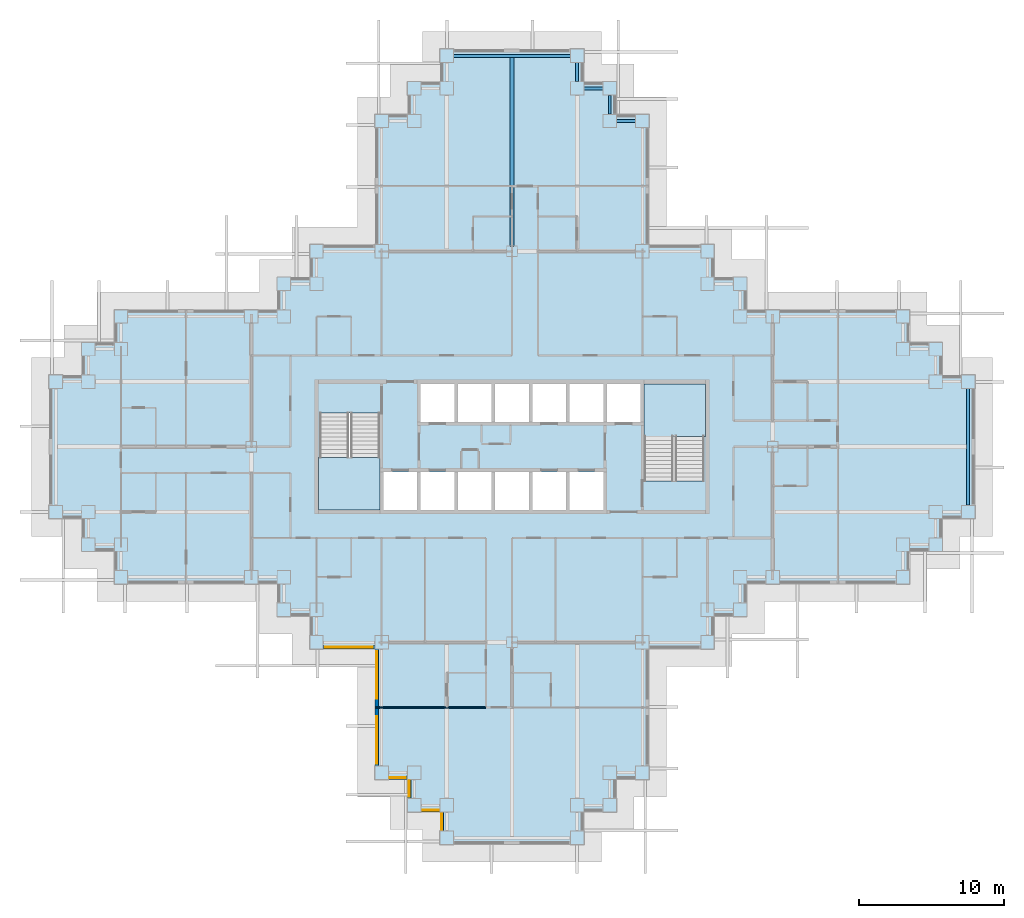
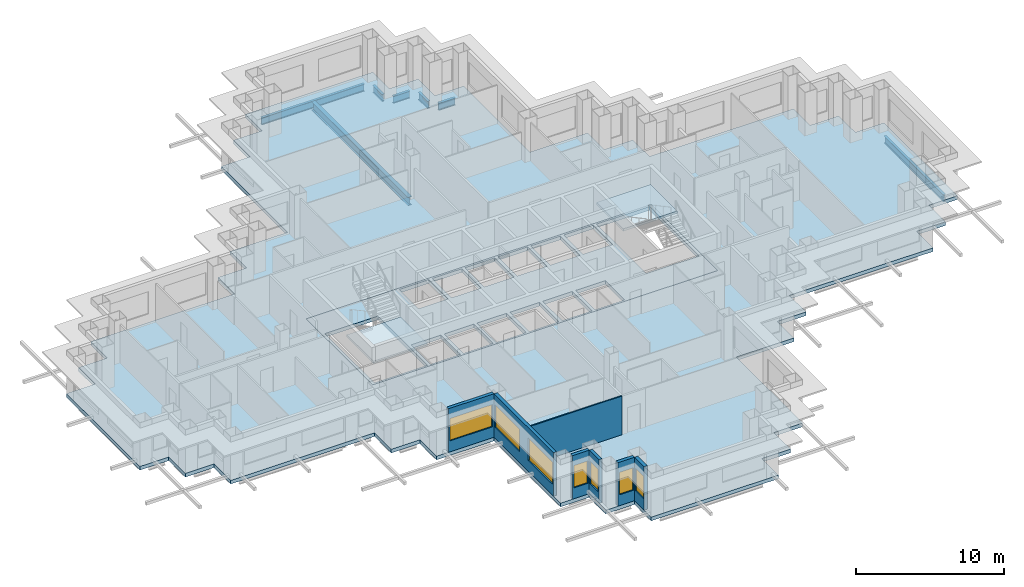
# One storey, part 2 of 15: 7 beams, 7 walls, 7 windows, 4 slabs, 7 openings, 2 elements without a shape of their own.
"""IFC4 building model written with IfcOpenShell, lengths in metres."""

from ifc_helpers import new_model, si_unit, direction, frame, frame_2d, origin, origin_2d, place, context, subcontext, project, spatial, polyline, rectangle, i_section, outline, extrude, material, layer, layer_set, material_profile, profile_set, type_object, element, fill, aggregate, save


model = new_model("IFC4")

# Units and contexts
model_context = context("Model", 3, precision=1e-05, world=origin(), true_north=direction((0.0, 1.0)))
body_context = subcontext(model_context, "Body", "Model", "MODEL_VIEW")
ifc_project = project(units=[si_unit("LENGTHUNIT", "METRE"), si_unit("AREAUNIT", "SQUARE_METRE"), si_unit("VOLUMEUNIT", "CUBIC_METRE"), si_unit("PLANEANGLEUNIT", "RADIAN"), si_unit("MASSUNIT", "GRAM", prefix="KILO")], contexts=[model_context])

# Site, building, storey
site_placement = place(None, origin())
site = spatial("IfcSite", under=ifc_project, at=site_placement, CompositionType="ELEMENT")
building_placement = place(site_placement, origin())
building = spatial("IfcBuilding", under=site, at=building_placement, Name="Caravel Reach Hotel and Residences", CompositionType="ELEMENT")
storey_placement = place(building_placement, frame((0.0, 0.0, 92.39990234375)))
storey = spatial("IfcBuildingStorey", under=building, at=storey_placement, Name="L22", CompositionType="ELEMENT", Elevation=92.39990234375)

# Beams
ifc_material_1 = material(Name="Structural steel Q355B", Category="steel")
ifc_material_profile_1 = material_profile(ifc_material_1, i_section(OverallWidth=0.300048828125, OverallDepth=0.699951171875, WebThickness=0.012939453125, FlangeThickness=0.02392578125, FilletRadius=0.01806640625, at=origin_2d()), Name="HN 700x300x13x24")
ifc_profile_set_1 = profile_set([ifc_material_profile_1], Name="Structural steel Q355B")
beam_type_1 = type_object("IfcBeamType", Name="Beam HN 700x300x13x24", PredefinedType="BEAM", material=ifc_profile_set_1)
beam_1_placement = place(storey_placement, frame((31.5, 40.824951171875, -0.64990234375), z_axis=(0.0, 1.0, 0.0), x_axis=(-1.0, 0.0, 0.0)))
element("IfcBeam", 1, at=beam_1_placement, inside=storey, type_object=beam_type_1, Name="B2 HN 700x300x13x24", PredefinedType="BEAM", context=body_context, shape_type="SweptSolid", body=[
    extrude(i_section(OverallWidth=0.300048828125, OverallDepth=0.699951171875, WebThickness=0.012939453125, FlangeThickness=0.02392578125, FilletRadius=0.01806640625, at=origin_2d()), origin(), (0.0, 0.0, 1.0), 13.074951171875),
])
ifc_material_2 = material(Name="Structural steel Q355B", Category="steel")
ifc_material_profile_2 = material_profile(ifc_material_2, i_section(OverallWidth=0.199951171875, OverallDepth=0.60009765625, WebThickness=0.010986328125, FlangeThickness=0.01708984375, FilletRadius=0.012939453125, at=origin_2d()), Name="HN 600x200x11x17")
ifc_profile_set_2 = profile_set([ifc_material_profile_2], Name="Structural steel Q355B")
beam_type_2 = type_object("IfcBeamType", Name="Spandrel beam HN 600x200x11x17", PredefinedType="SPANDREL", material=ifc_profile_set_2)
beam_2_placement = place(storey_placement, frame((63.0, 22.97509765625, -0.599853515625), z_axis=(0.0, 1.0, 0.0), x_axis=(-1.0, 0.0, 0.0)))
element("IfcBeam", 2, at=beam_2_placement, inside=storey, type_object=beam_type_2, Name="SP1 HN 600x200x11x17", PredefinedType="SPANDREL", context=body_context, shape_type="SweptSolid", body=[
    extrude(i_section(OverallWidth=0.199951171875, OverallDepth=0.60009765625, WebThickness=0.010986328125, FlangeThickness=0.01708984375, FilletRadius=0.012939453125, at=origin_2d()), origin(), (0.0, 0.0, 1.0), 8.0498046875),
])
for number, where, z_axis, x_axis, name in (
    (3, (40.02490234375, 49.5, -0.599853515625), (-1.0, 0.0, 0.0), (0.0, -1.0, 0.0), "SP1 HN 600x200x11x17"),
    (4, (38.25, 49.97509765625, -0.599853515625), (0.0, 1.0, 0.0), (-1.0, 0.0, 0.0), "SP1 HN 600x200x11x17"),
    (5, (37.77490234375, 51.75, -0.599853515625), (-1.0, 0.0, 0.0), (0.0, -1.0, 0.0), "SP1 HN 600x200x11x17"),
    (6, (36.0, 52.22509765625, -0.599853515625), (0.0, 1.0, 0.0), (-1.0, 0.0, 0.0), "SP1 HN 600x200x11x17"),
):
    element("IfcBeam", number, at=place(storey_placement, frame(where, z_axis=z_axis, x_axis=x_axis)), inside=storey, type_object=beam_type_2, Name=name, PredefinedType="SPANDREL", context=body_context, shape_type="SweptSolid", body=[
        extrude(i_section(OverallWidth=0.199951171875, OverallDepth=0.60009765625, WebThickness=0.010986328125, FlangeThickness=0.01708984375, FilletRadius=0.012939453125, at=origin_2d()), origin(), (0.0, 0.0, 1.0), 1.2998046875),
    ])
beam_3_placement = place(storey_placement, frame((35.52490234375, 54.0, -0.599853515625), z_axis=(-1.0, 0.0, 0.0), x_axis=(0.0, -1.0, 0.0)))
element("IfcBeam", 7, at=beam_3_placement, inside=storey, type_object=beam_type_2, Name="SP1 HN 600x200x11x17", PredefinedType="SPANDREL", context=body_context, shape_type="SweptSolid", body=[
    extrude(i_section(OverallWidth=0.199951171875, OverallDepth=0.60009765625, WebThickness=0.010986328125, FlangeThickness=0.01708984375, FilletRadius=0.012939453125, at=origin_2d()), origin(), (0.0, 0.0, 1.0), 8.0498046875),
])

# Slab
ifc_material_3 = material(Name="Concrete C40", Category="concrete")
ifc_layer_1 = layer(ifc_material_3, 0.300048828125)
ifc_layer_set_1 = layer_set([ifc_layer_1], Name="Core floor slab 300 mm")
slab_type_1 = type_object("IfcSlabType", Name="Core floor slab 300 mm", PredefinedType="FLOOR", material=ifc_layer_set_1)
slab_1_placement = place(storey_placement, frame((0.0, 0.0, -0.2998046875)))
element("IfcSlab", 8, at=slab_1_placement, inside=storey, type_object=slab_type_1, Name="L22 core floor", PredefinedType="FLOOR", context=body_context, shape_type="SweptSolid", body=[
    extrude(outline(polyline([(18.0, 31.5), (45.0, 31.5), (45.0, 22.5), (18.0, 22.5), (18.0, 31.5)]), holes=[polyline([(22.625, 25.27490234375), (22.625, 22.64990234375), (24.9462890625, 22.64990234375), (24.9462890625, 25.27490234375), (22.625, 25.27490234375)]), polyline([(27.517822265625, 25.27490234375), (25.1962890625, 25.27490234375), (25.1962890625, 22.64990234375), (27.517822265625, 22.64990234375), (27.517822265625, 25.27490234375)]), polyline([(30.08935546875, 25.27490234375), (27.767822265625, 25.27490234375), (27.767822265625, 22.64990234375), (30.08935546875, 22.64990234375), (30.08935546875, 25.27490234375)]), polyline([(32.66064453125, 25.27490234375), (30.33935546875, 25.27490234375), (30.33935546875, 22.64990234375), (32.66064453125, 22.64990234375), (32.66064453125, 25.27490234375)]), polyline([(18.22509765625, 22.64990234375), (22.375, 22.64990234375), (22.375, 29.35009765625), (18.22509765625, 29.35009765625), (18.22509765625, 22.64990234375)]), polyline([(27.517822265625, 31.35009765625), (25.1962890625, 31.35009765625), (25.1962890625, 28.72509765625), (27.517822265625, 28.72509765625), (27.517822265625, 31.35009765625)]), polyline([(30.08935546875, 31.35009765625), (27.767822265625, 31.35009765625), (27.767822265625, 28.72509765625), (30.08935546875, 28.72509765625), (30.08935546875, 31.35009765625)]), polyline([(32.91064453125, 25.27490234375), (32.91064453125, 22.64990234375), (35.232177734375, 22.64990234375), (35.232177734375, 25.27490234375), (32.91064453125, 25.27490234375)]), polyline([(37.8037109375, 25.27490234375), (35.482177734375, 25.27490234375), (35.482177734375, 22.64990234375), (37.8037109375, 22.64990234375), (37.8037109375, 25.27490234375)]), polyline([(44.77490234375, 31.35009765625), (40.625, 31.35009765625), (40.625, 24.64990234375), (44.77490234375, 24.64990234375), (44.77490234375, 31.35009765625)]), polyline([(32.66064453125, 31.35009765625), (30.33935546875, 31.35009765625), (30.33935546875, 28.72509765625), (32.66064453125, 28.72509765625), (32.66064453125, 31.35009765625)]), polyline([(35.232177734375, 31.35009765625), (32.91064453125, 31.35009765625), (32.91064453125, 28.72509765625), (35.232177734375, 28.72509765625), (35.232177734375, 31.35009765625)]), polyline([(37.8037109375, 31.35009765625), (35.482177734375, 31.35009765625), (35.482177734375, 28.72509765625), (37.8037109375, 28.72509765625), (37.8037109375, 31.35009765625)]), polyline([(40.375, 31.35009765625), (38.0537109375, 31.35009765625), (38.0537109375, 28.72509765625), (40.375, 28.72509765625), (40.375, 31.35009765625)])]), origin(), (0.0, 0.0, 1.0), 0.2998046875),
])

# Stair, slab
ifc_material_4 = material(Name="Concrete C40", Category="concrete")
stair_type = type_object("IfcStairType", Name="Core stair", PredefinedType="HALF_TURN_STAIR", material=ifc_material_4)
stair_1_placement = place(storey_placement, origin())
stair_1 = element("IfcStair", 9, at=stair_1_placement, inside=storey, type_object=stair_type, Name="L22 Exit stair A", PredefinedType="HALF_TURN_STAIR")
ifc_material_5 = material(Name="Concrete C40", Category="concrete")
ifc_layer_2 = layer(ifc_material_5, 0.199951171875)
ifc_layer_set_2 = layer_set([ifc_layer_2], Name="Core stair landing")
slab_type_2 = type_object("IfcSlabType", Name="Core stair landing", PredefinedType="LANDING", material=ifc_layer_set_2)
slab_2_placement = place(storey_placement, frame((0.0, 0.0, 1.60009765625)))
slab_2 = element("IfcSlab", 10, at=slab_2_placement, type_object=slab_type_2, Name="ST-A landing 1", PredefinedType="LANDING", context=body_context, shape_type="SweptSolid", body=[
    extrude(outline(polyline([(18.14990234375, 26.27001953125), (18.14990234375, 22.64990234375), (22.375, 22.64990234375), (22.375, 26.27001953125), (18.14990234375, 26.27001953125)])), origin(), (0.0, 0.0, 1.0), 0.199951171875),
])
aggregate(stair_1, [slab_2])

stair_2_placement = place(storey_placement, origin())
stair_2 = element("IfcStair", 11, at=stair_2_placement, inside=storey, type_object=stair_type, Name="L22 Exit stair B", PredefinedType="HALF_TURN_STAIR")
slab_3_placement = place(storey_placement, frame((0.0, 0.0, 1.60009765625)))
slab_3 = element("IfcSlab", 12, at=slab_3_placement, type_object=slab_type_2, Name="ST-B landing 1", PredefinedType="LANDING", context=body_context, shape_type="SweptSolid", body=[
    extrude(outline(polyline([(44.85009765625, 27.72998046875), (44.85009765625, 31.35009765625), (40.625, 31.35009765625), (40.625, 27.72998046875), (44.85009765625, 27.72998046875)])), origin(), (0.0, 0.0, 1.0), 0.199951171875),
])
aggregate(stair_2, [slab_3])

# Slab
ifc_material_6 = material(Name="Concrete C40 post-tensioned", Category="concrete")
ifc_layer_3 = layer(ifc_material_6, 0.300048828125)
ifc_layer_set_3 = layer_set([ifc_layer_3], Name="Floor slab 300")
slab_type_3 = type_object("IfcSlabType", Name="Floor slab 300", PredefinedType="FLOOR", material=ifc_layer_set_3)
slab_4_placement = place(storey_placement, frame((0.0, 0.0, -0.2998046875)))
element("IfcSlab", 13, at=slab_4_placement, inside=storey, type_object=slab_type_3, Name="S2 slab L22", PredefinedType="FLOOR", context=body_context, shape_type="SweptSolid", body=[
    extrude(outline(polyline([(17.52490234375, 13.02490234375), (17.52490234375, 15.27490234375), (15.27490234375, 15.27490234375), (15.27490234375, 17.52490234375), (4.02490234375, 17.52490234375), (4.02490234375, 19.77490234375), (1.77490234375, 19.77490234375), (1.77490234375, 22.02490234375), (-0.47509765625, 22.02490234375), (-0.47509765625, 31.97509765625), (1.77490234375, 31.97509765625), (1.77490234375, 34.22509765625), (4.02490234375, 34.22509765625), (4.02490234375, 36.47509765625), (15.27490234375, 36.47509765625), (15.27490234375, 38.72509765625), (17.52490234375, 38.72509765625), (17.52490234375, 40.97509765625), (22.02490234375, 40.97509765625), (22.02490234375, 49.97509765625), (24.27490234375, 49.97509765625), (24.27490234375, 52.22509765625), (26.52490234375, 52.22509765625), (26.52490234375, 54.47509765625), (36.47509765625, 54.47509765625), (36.47509765625, 52.22509765625), (38.72509765625, 52.22509765625), (38.72509765625, 49.97509765625), (40.97509765625, 49.97509765625), (40.97509765625, 40.97509765625), (45.47509765625, 40.97509765625), (45.47509765625, 38.72509765625), (47.72509765625, 38.72509765625), (47.72509765625, 36.47509765625), (58.97509765625, 36.47509765625), (58.97509765625, 34.22509765625), (61.22509765625, 34.22509765625), (61.22509765625, 31.97509765625), (63.47509765625, 31.97509765625), (63.47509765625, 22.02490234375), (61.22509765625, 22.02490234375), (61.22509765625, 19.77490234375), (58.97509765625, 19.77490234375), (58.97509765625, 17.52490234375), (47.72509765625, 17.52490234375), (47.72509765625, 15.27490234375), (45.47509765625, 15.27490234375), (45.47509765625, 13.02490234375), (40.97509765625, 13.02490234375), (40.97509765625, 4.02490234375), (38.72509765625, 4.02490234375), (38.72509765625, 1.77490234375), (36.47509765625, 1.77490234375), (36.47509765625, -0.47509765625), (26.52490234375, -0.47509765625), (26.52490234375, 1.77490234375), (24.27490234375, 1.77490234375), (24.27490234375, 4.02490234375), (22.02490234375, 4.02490234375), (22.02490234375, 13.02490234375), (17.52490234375, 13.02490234375)]), holes=[polyline([(45.0, 31.5), (18.0, 31.5), (18.0, 22.5), (45.0, 22.5), (45.0, 31.5)])]), origin(), (0.0, 0.0, 1.0), 0.2998046875),
])

# Wall, opening, window
ifc_material_7 = material(Name="Insulated rainscreen wall, aluminium cladding", Category="aluminium")
ifc_layer_4 = layer(ifc_material_7, 0.25)
ifc_layer_set_4 = layer_set([ifc_layer_4], Name="EW1 Tower rainscreen wall")
wall_type_1 = type_object("IfcWallType", Name="EW1 Tower rainscreen wall", PredefinedType="SOLIDWALL", material=ifc_layer_set_4)
wall_1_placement = place(storey_placement, frame((22.97509765625, 4.14990234375, 0.0), z_axis=(0.0, 0.0, 1.0), x_axis=(1.0, 0.0, 0.0)))
wall_1 = element("IfcWall", 14, at=wall_1_placement, inside=storey, type_object=wall_type_1, Name="External wall L22 S1.1", PredefinedType="SOLIDWALL", context=body_context, shape_type="SweptSolid", body=[
    extrude(rectangle(XDim=1.2998046875, YDim=0.25, at=frame_2d((0.64990234375, 0.0))), origin(), (0.0, 0.0, 1.0), 3.60009765625),
])
opening_1_placement = place(wall_1_placement, frame((0.10009765625, 0.0, 0.89990234375)))
opening_1 = element("IfcOpeningElement", 15, at=opening_1_placement, cuts=wall_1, Name="Opening WN6", PredefinedType="OPENING", context=body_context, shape_type="SweptSolid", body=[
    extrude(rectangle(XDim=1.10009765625, YDim=1.85009765625, at=frame_2d((0.550048828125, 0.925048828125))), frame((0.0, 0.135009765625, 0.0), z_axis=(0.0, -1.0, 0.0), x_axis=(1.0, 0.0, 0.0)), (0.0, 0.0, 1.0), 0.27001953125),
])
ifc_material_8 = material(Name="Dark low-e glazing in black aluminium frame", Category="aluminium")
window_type_1 = type_object("IfcWindowType", Name="Hotel suite corner window 1100 x 1850", PartitioningType="SINGLE_PANEL", PredefinedType="WINDOW", material=ifc_material_8)
window_1_placement = place(opening_1_placement, origin())
window_1 = element("IfcWindow", 16, at=window_1_placement, inside=storey, type_object=window_type_1, Name="Window L22 S1.1.1", OverallHeight=1.85009765625, OverallWidth=1.10009765625, PartitioningType="SINGLE_PANEL", PredefinedType="WINDOW", context=body_context, shape_type="SweptSolid", body=[
    extrude(rectangle(XDim=1.10009765625, YDim=1.85009765625, at=frame_2d((0.550048828125, 0.925048828125))), frame((0.0, 0.030029296875, 0.0), z_axis=(0.0, -1.0, 0.0), x_axis=(1.0, 0.0, 0.0)), (0.0, 0.0, 1.0), 0.06005859375),
])
fill(opening_1, window_1)

wall_2_placement = place(storey_placement, frame((24.39990234375, 4.02490234375, 0.0), z_axis=(0.0, 0.0, 1.0), x_axis=(0.0, -1.0, 0.0)))
wall_2 = element("IfcWall", 17, at=wall_2_placement, inside=storey, type_object=wall_type_1, Name="External wall L22 W2.1", PredefinedType="SOLIDWALL", context=body_context, shape_type="SweptSolid", body=[
    extrude(rectangle(XDim=1.2998046875, YDim=0.25, at=frame_2d((0.64990234375, 0.0))), origin(), (0.0, 0.0, 1.0), 3.60009765625),
])
opening_2_placement = place(wall_2_placement, frame((0.10009765625, 0.0, 0.89990234375)))
opening_2 = element("IfcOpeningElement", 18, at=opening_2_placement, cuts=wall_2, Name="Opening WN6", PredefinedType="OPENING", context=body_context, shape_type="SweptSolid", body=[
    extrude(rectangle(XDim=1.10009765625, YDim=1.85009765625, at=frame_2d((0.550048828125, 0.925048828125))), frame((0.0, 0.135009765625, 0.0), z_axis=(0.0, -1.0, 0.0), x_axis=(1.0, 0.0, 0.0)), (0.0, 0.0, 1.0), 0.27001953125),
])
window_2_placement = place(opening_2_placement, origin())
window_2 = element("IfcWindow", 19, at=window_2_placement, inside=storey, type_object=window_type_1, Name="Window L22 W2.1.1", OverallHeight=1.85009765625, OverallWidth=1.10009765625, PartitioningType="SINGLE_PANEL", PredefinedType="WINDOW", context=body_context, shape_type="SweptSolid", body=[
    extrude(rectangle(XDim=1.10009765625, YDim=1.85009765625, at=frame_2d((0.550048828125, 0.925048828125))), frame((0.0, 0.030029296875, 0.0), z_axis=(0.0, -1.0, 0.0), x_axis=(1.0, 0.0, 0.0)), (0.0, 0.0, 1.0), 0.06005859375),
])
fill(opening_2, window_2)

wall_3_placement = place(storey_placement, frame((25.22509765625, 1.89990234375, 0.0), z_axis=(0.0, 0.0, 1.0), x_axis=(1.0, 0.0, 0.0)))
wall_3 = element("IfcWall", 20, at=wall_3_placement, inside=storey, type_object=wall_type_1, Name="External wall L22 S3.1", PredefinedType="SOLIDWALL", context=body_context, shape_type="SweptSolid", body=[
    extrude(rectangle(XDim=1.2998046875, YDim=0.25, at=frame_2d((0.64990234375, 0.0))), origin(), (0.0, 0.0, 1.0), 3.60009765625),
])
opening_3_placement = place(wall_3_placement, frame((0.10009765625, 0.0, 0.89990234375)))
opening_3 = element("IfcOpeningElement", 21, at=opening_3_placement, cuts=wall_3, Name="Opening WN6", PredefinedType="OPENING", context=body_context, shape_type="SweptSolid", body=[
    extrude(rectangle(XDim=1.10009765625, YDim=1.85009765625, at=frame_2d((0.550048828125, 0.925048828125))), frame((0.0, 0.135009765625, 0.0), z_axis=(0.0, -1.0, 0.0), x_axis=(1.0, 0.0, 0.0)), (0.0, 0.0, 1.0), 0.27001953125),
])
window_3_placement = place(opening_3_placement, origin())
window_3 = element("IfcWindow", 22, at=window_3_placement, inside=storey, type_object=window_type_1, Name="Window L22 S3.1.1", OverallHeight=1.85009765625, OverallWidth=1.10009765625, PartitioningType="SINGLE_PANEL", PredefinedType="WINDOW", context=body_context, shape_type="SweptSolid", body=[
    extrude(rectangle(XDim=1.10009765625, YDim=1.85009765625, at=frame_2d((0.550048828125, 0.925048828125))), frame((0.0, 0.030029296875, 0.0), z_axis=(0.0, -1.0, 0.0), x_axis=(1.0, 0.0, 0.0)), (0.0, 0.0, 1.0), 0.06005859375),
])
fill(opening_3, window_3)

wall_4_placement = place(storey_placement, frame((26.64990234375, 1.77490234375, 0.0), z_axis=(0.0, 0.0, 1.0), x_axis=(0.0, -1.0, 0.0)))
wall_4 = element("IfcWall", 23, at=wall_4_placement, inside=storey, type_object=wall_type_1, Name="External wall L22 W4.1", PredefinedType="SOLIDWALL", context=body_context, shape_type="SweptSolid", body=[
    extrude(rectangle(XDim=1.2998046875, YDim=0.25, at=frame_2d((0.64990234375, 0.0))), origin(), (0.0, 0.0, 1.0), 3.60009765625),
])
opening_4_placement = place(wall_4_placement, frame((0.10009765625, 0.0, 0.89990234375)))
opening_4 = element("IfcOpeningElement", 24, at=opening_4_placement, cuts=wall_4, Name="Opening WN6", PredefinedType="OPENING", context=body_context, shape_type="SweptSolid", body=[
    extrude(rectangle(XDim=1.10009765625, YDim=1.85009765625, at=frame_2d((0.550048828125, 0.925048828125))), frame((0.0, 0.135009765625, 0.0), z_axis=(0.0, -1.0, 0.0), x_axis=(1.0, 0.0, 0.0)), (0.0, 0.0, 1.0), 0.27001953125),
])
window_4_placement = place(opening_4_placement, origin())
window_4 = element("IfcWindow", 25, at=window_4_placement, inside=storey, type_object=window_type_1, Name="Window L22 W4.1.1", OverallHeight=1.85009765625, OverallWidth=1.10009765625, PartitioningType="SINGLE_PANEL", PredefinedType="WINDOW", context=body_context, shape_type="SweptSolid", body=[
    extrude(rectangle(XDim=1.10009765625, YDim=1.85009765625, at=frame_2d((0.550048828125, 0.925048828125))), frame((0.0, 0.030029296875, 0.0), z_axis=(0.0, -1.0, 0.0), x_axis=(1.0, 0.0, 0.0)), (0.0, 0.0, 1.0), 0.06005859375),
])
fill(opening_4, window_4)

wall_5_placement = place(storey_placement, frame((18.47509765625, 13.14990234375, 0.0), z_axis=(0.0, 0.0, 1.0), x_axis=(1.0, 0.0, 0.0)))
wall_5 = element("IfcWall", 26, at=wall_5_placement, inside=storey, type_object=wall_type_1, Name="External wall L22 S59.1", PredefinedType="SOLIDWALL", context=body_context, shape_type="SweptSolid", body=[
    extrude(rectangle(XDim=3.5498046875, YDim=0.25, at=frame_2d((1.77490234375, 0.0))), origin(), (0.0, 0.0, 1.0), 3.60009765625),
])
opening_5_placement = place(wall_5_placement, frame((0.125, 0.0, 0.89990234375)))
opening_5 = element("IfcOpeningElement", 27, at=opening_5_placement, cuts=wall_5, Name="Opening WN7", PredefinedType="OPENING", context=body_context, shape_type="SweptSolid", body=[
    extrude(rectangle(XDim=3.300048828125, YDim=1.85009765625, at=frame_2d((1.64990234375, 0.925048828125))), frame((0.0, 0.135009765625, 0.0), z_axis=(0.0, -1.0, 0.0), x_axis=(1.0, 0.0, 0.0)), (0.0, 0.0, 1.0), 0.27001953125),
])
ifc_material_9 = material(Name="Dark low-e glazing in black aluminium frame", Category="aluminium")
window_type_2 = type_object("IfcWindowType", Name="Hotel guest room window 3300 x 1850", PartitioningType="SINGLE_PANEL", PredefinedType="WINDOW", material=ifc_material_9)
window_5_placement = place(opening_5_placement, origin())
window_5 = element("IfcWindow", 28, at=window_5_placement, inside=storey, type_object=window_type_2, Name="Window L22 S59.1.1", OverallHeight=1.85009765625, OverallWidth=3.300048828125, PartitioningType="SINGLE_PANEL", PredefinedType="WINDOW", context=body_context, shape_type="SweptSolid", body=[
    extrude(rectangle(XDim=3.300048828125, YDim=1.85009765625, at=frame_2d((1.64990234375, 0.925048828125))), frame((0.0, 0.030029296875, 0.0), z_axis=(0.0, -1.0, 0.0), x_axis=(1.0, 0.0, 0.0)), (0.0, 0.0, 1.0), 0.06005859375),
])
fill(opening_5, window_5)

# Wall, openings, windows
wall_6_placement = place(storey_placement, frame((22.14990234375, 13.02490234375, 0.0), z_axis=(0.0, 0.0, 1.0), x_axis=(0.0, -1.0, 0.0)))
wall_6 = element("IfcWall", 29, at=wall_6_placement, inside=storey, type_object=wall_type_1, Name="External wall L22 W60.1", PredefinedType="SOLIDWALL", context=body_context, shape_type="SweptSolid", body=[
    extrude(rectangle(XDim=8.0498046875, YDim=0.25, at=frame_2d((4.02490234375, 0.0))), origin(), (0.0, 0.0, 1.0), 3.60009765625),
])
opening_6_placement = place(wall_6_placement, frame((0.125, 0.0, 0.89990234375)))
opening_6 = element("IfcOpeningElement", 30, at=opening_6_placement, cuts=wall_6, Name="Opening WN7", PredefinedType="OPENING", context=body_context, shape_type="SweptSolid", body=[
    extrude(rectangle(XDim=3.300048828125, YDim=1.85009765625, at=frame_2d((1.64990234375, 0.925048828125))), frame((0.0, 0.135009765625, 0.0), z_axis=(0.0, -1.0, 0.0), x_axis=(1.0, 0.0, 0.0)), (0.0, 0.0, 1.0), 0.27001953125),
])
opening_7_placement = place(wall_6_placement, frame((4.625, 0.0, 0.89990234375)))
opening_7 = element("IfcOpeningElement", 31, at=opening_7_placement, cuts=wall_6, Name="Opening WN7", PredefinedType="OPENING", context=body_context, shape_type="SweptSolid", body=[
    extrude(rectangle(XDim=3.300048828125, YDim=1.85009765625, at=frame_2d((1.64990234375, 0.925048828125))), frame((0.0, 0.135009765625, 0.0), z_axis=(0.0, -1.0, 0.0), x_axis=(1.0, 0.0, 0.0)), (0.0, 0.0, 1.0), 0.27001953125),
])
window_6_placement = place(opening_6_placement, origin())
window_6 = element("IfcWindow", 32, at=window_6_placement, inside=storey, type_object=window_type_2, Name="Window L22 W60.1.1", OverallHeight=1.85009765625, OverallWidth=3.300048828125, PartitioningType="SINGLE_PANEL", PredefinedType="WINDOW", context=body_context, shape_type="SweptSolid", body=[
    extrude(rectangle(XDim=3.300048828125, YDim=1.85009765625, at=frame_2d((1.64990234375, 0.925048828125))), frame((0.0, 0.030029296875, 0.0), z_axis=(0.0, -1.0, 0.0), x_axis=(1.0, 0.0, 0.0)), (0.0, 0.0, 1.0), 0.06005859375),
])
fill(opening_6, window_6)
window_7_placement = place(opening_7_placement, origin())
window_7 = element("IfcWindow", 33, at=window_7_placement, inside=storey, type_object=window_type_2, Name="Window L22 W60.1.2", OverallHeight=1.85009765625, OverallWidth=3.300048828125, PartitioningType="SINGLE_PANEL", PredefinedType="WINDOW", context=body_context, shape_type="SweptSolid", body=[
    extrude(rectangle(XDim=3.300048828125, YDim=1.85009765625, at=frame_2d((1.64990234375, 0.925048828125))), frame((0.0, 0.030029296875, 0.0), z_axis=(0.0, -1.0, 0.0), x_axis=(1.0, 0.0, 0.0)), (0.0, 0.0, 1.0), 0.06005859375),
])
fill(opening_7, window_7)

# Wall
ifc_material_10 = material(Name="Gypsum board on steel stud", Category="steel")
ifc_layer_5 = layer(ifc_material_10, 0.10009765625)
ifc_layer_set_5 = layer_set([ifc_layer_5], Name="Partition 100 mm")
wall_type_2 = type_object("IfcWallType", Name="Partition 100 mm", PredefinedType="PARTITIONING", material=ifc_layer_set_5)
wall_7_placement = place(storey_placement, frame((22.0849609375, 9.0, 0.0), z_axis=(0.0, 0.0, 1.0), x_axis=(1.0, 0.0, 0.0)))
element("IfcWall", 34, at=wall_7_placement, inside=storey, type_object=wall_type_2, Name="L22 wall w050", PredefinedType="PARTITIONING", context=body_context, shape_type="SweptSolid", body=[
    extrude(rectangle(XDim=7.614990234375, YDim=0.10009765625, at=frame_2d((3.8076171875, 0.0))), origin(), (0.0, 0.0, 1.0), 3.2001953125),
])

save(model, "model.ifc")
